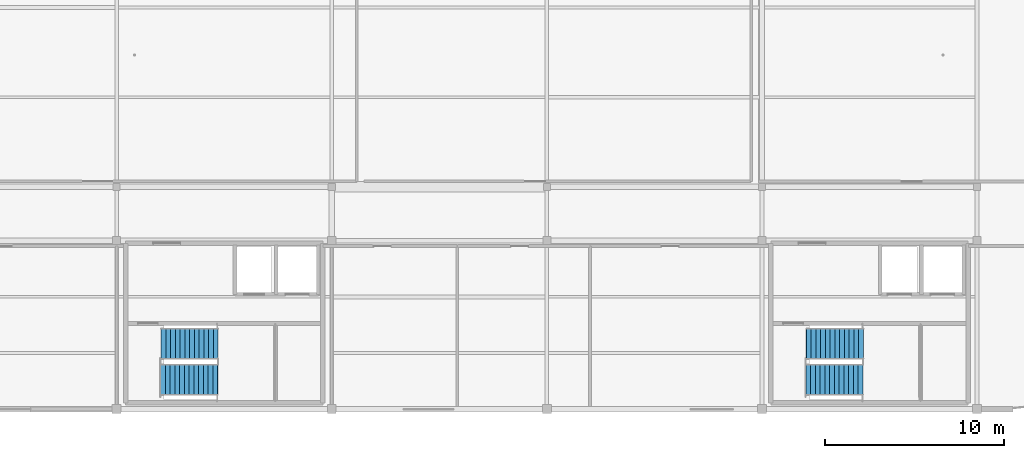
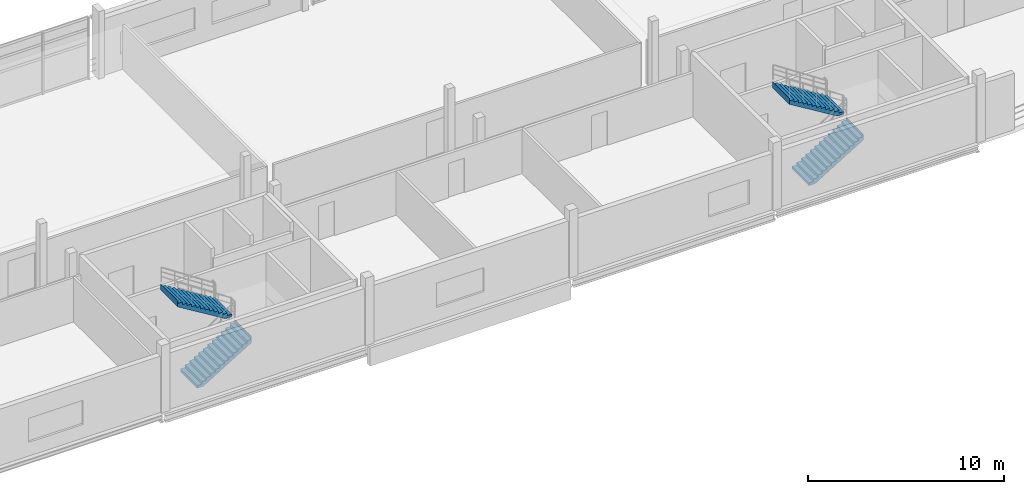
# One storey, part 9 of 13: 4 stair flights, 2 elements without a shape of their own.
"""IFC4 building model written with IfcOpenShell, lengths in metres."""

from ifc_helpers import new_model, si_unit, direction, frame, origin, place, context, subcontext, project, spatial, polyline, outline, extrude, material, layer, layer_set, type_object, element, aggregate, save


model = new_model("IFC4")

# Units and contexts
model_context = context("Model", 3, precision=1e-05, world=origin(), true_north=direction((0.0, 1.0)))
body_context = subcontext(model_context, "Body", "Model", "MODEL_VIEW")
ifc_project = project(units=[si_unit("LENGTHUNIT", "METRE"), si_unit("AREAUNIT", "SQUARE_METRE"), si_unit("VOLUMEUNIT", "CUBIC_METRE"), si_unit("PLANEANGLEUNIT", "RADIAN"), si_unit("MASSUNIT", "GRAM", prefix="KILO"), si_unit("THERMODYNAMICTEMPERATUREUNIT", "KELVIN"), si_unit("POWERUNIT", "WATT")], contexts=[model_context])

# Site, building, storey
site_placement = place(None, origin())
site = spatial("IfcSite", under=ifc_project, at=site_placement, CompositionType="ELEMENT")
building_placement = place(site_placement, origin())
building = spatial("IfcBuilding", under=site, at=building_placement, Name="Solmara Park Aquatics Centre", CompositionType="ELEMENT")
storey_placement = place(building_placement, frame((0.0, 0.0, 14.39990234375)))
storey = spatial("IfcBuildingStorey", under=building, at=storey_placement, Name="L03", CompositionType="ELEMENT", Elevation=14.39990234375)

# Stair, stair flights
ifc_material = material(Name="Concrete C40/50", Category="concrete")
stair_type = type_object("IfcStairType", Name="ARC-ST-CORE", PredefinedType="HALF_TURN_STAIR", material=ifc_material)
stair_1_placement = place(storey_placement, origin())
stair_1 = element("IfcStair", 1, at=stair_1_placement, inside=storey, type_object=stair_type, Name="ST-01 Protected Exit Stair (L03 to L04)", PredefinedType="HALF_TURN_STAIR")
ifc_layer = layer(ifc_material, 0.199951171875, Name="Concrete C40/50")
ifc_layer_set = layer_set([ifc_layer], Name="Concrete C40/50")
stair_flight_type = type_object("IfcStairFlightType", Name="ARC-STF-06", PredefinedType="STRAIGHT", material=ifc_layer_set)
stair_flight_1_placement = place(storey_placement, frame((51.050048828125, 110.235107421875, 0.0), z_axis=(0.0, 0.0, 1.0), x_axis=(1.0, 0.0, 0.0)))
stair_flight_1 = element("IfcStairFlight", 2, at=stair_flight_1_placement, type_object=stair_flight_type, Name="ST-01 flight 1", NumberOfRisers=13, NumberOfTreads=12, PredefinedType="STRAIGHT", RiserHeight=0.16154, TreadLength=0.265, context=body_context, shape_type="SweptSolid", body=[
    extrude(outline(polyline([(0.0, 0.0), (0.0, 0.16162109375), (0.264892578125, 0.16162109375), (0.264892578125, 0.322998046875), (0.530029296875, 0.322998046875), (0.530029296875, 0.484619140625), (0.794921875, 0.484619140625), (0.794921875, 0.646240234375), (1.06005859375, 0.646240234375), (1.06005859375, 0.8076171875), (1.324951171875, 0.8076171875), (1.324951171875, 0.96923828125), (1.590087890625, 0.96923828125), (1.590087890625, 1.130859375), (1.85498046875, 1.130859375), (1.85498046875, 1.292236328125), (2.1201171875, 1.292236328125), (2.1201171875, 1.453857421875), (2.385009765625, 1.453857421875), (2.385009765625, 1.615478515625), (2.64990234375, 1.615478515625), (2.64990234375, 1.77685546875), (2.9150390625, 1.77685546875), (2.9150390625, 1.9384765625), (3.179931640625, 1.9384765625), (3.179931640625, 2.10009765625), (3.199951171875, 2.10009765625), (3.199951171875, 1.727783203125), (0.36572265625, 0.0), (0.0, 0.0)])), frame((0.0, 0.864990234375, 0.0), z_axis=(0.0, -1.0, 0.0), x_axis=(1.0, 0.0, 0.0)), (0.0, 0.0, 1.0), 1.72998046875),
])
stair_flight_2_placement = place(storey_placement, frame((54.260009765625, 112.264892578125, 2.10009765625), z_axis=(0.0, 0.0, 1.0), x_axis=(-1.0, 0.0, 0.0)))
stair_flight_2 = element("IfcStairFlight", 3, at=stair_flight_2_placement, type_object=stair_flight_type, Name="ST-01 flight 2", NumberOfRisers=13, NumberOfTreads=12, PredefinedType="STRAIGHT", RiserHeight=0.16154, TreadLength=0.265, context=body_context, shape_type="SweptSolid", body=[
    extrude(outline(polyline([(0.0, 0.0), (0.0, 0.16162109375), (0.264892578125, 0.16162109375), (0.264892578125, 0.322998046875), (0.530029296875, 0.322998046875), (0.530029296875, 0.484619140625), (0.794921875, 0.484619140625), (0.794921875, 0.646240234375), (1.06005859375, 0.646240234375), (1.06005859375, 0.8076171875), (1.324951171875, 0.8076171875), (1.324951171875, 0.96923828125), (1.590087890625, 0.96923828125), (1.590087890625, 1.130859375), (1.85498046875, 1.130859375), (1.85498046875, 1.292236328125), (2.1201171875, 1.292236328125), (2.1201171875, 1.453857421875), (2.385009765625, 1.453857421875), (2.385009765625, 1.615478515625), (2.64990234375, 1.615478515625), (2.64990234375, 1.77685546875), (2.9150390625, 1.77685546875), (2.9150390625, 1.9384765625), (3.179931640625, 1.9384765625), (3.179931640625, 2.10009765625), (3.199951171875, 2.10009765625), (3.199951171875, 1.727783203125), (0.36572265625, 0.0), (0.0, 0.0)])), frame((0.0, 0.864990234375, 0.0), z_axis=(0.0, -1.0, 0.0), x_axis=(1.0, 0.0, 0.0)), (0.0, 0.0, 1.0), 1.72998046875),
])
aggregate(stair_1, [stair_flight_1, stair_flight_2])

stair_2_placement = place(storey_placement, origin())
stair_2 = element("IfcStair", 4, at=stair_2_placement, inside=storey, type_object=stair_type, Name="ST-02 Protected Exit Stair (L03 to L04)", PredefinedType="HALF_TURN_STAIR")
stair_flight_3_placement = place(storey_placement, frame((87.050048828125, 110.235107421875, 0.0), z_axis=(0.0, 0.0, 1.0), x_axis=(1.0, 0.0, 0.0)))
stair_flight_3 = element("IfcStairFlight", 5, at=stair_flight_3_placement, type_object=stair_flight_type, Name="ST-02 flight 1", NumberOfRisers=13, NumberOfTreads=12, PredefinedType="STRAIGHT", RiserHeight=0.16154, TreadLength=0.265, context=body_context, shape_type="SweptSolid", body=[
    extrude(outline(polyline([(0.0, 0.0), (0.0, 0.16162109375), (0.264892578125, 0.16162109375), (0.264892578125, 0.322998046875), (0.530029296875, 0.322998046875), (0.530029296875, 0.484619140625), (0.794921875, 0.484619140625), (0.794921875, 0.646240234375), (1.06005859375, 0.646240234375), (1.06005859375, 0.8076171875), (1.324951171875, 0.8076171875), (1.324951171875, 0.96923828125), (1.590087890625, 0.96923828125), (1.590087890625, 1.130859375), (1.85498046875, 1.130859375), (1.85498046875, 1.292236328125), (2.1201171875, 1.292236328125), (2.1201171875, 1.453857421875), (2.385009765625, 1.453857421875), (2.385009765625, 1.615478515625), (2.64990234375, 1.615478515625), (2.64990234375, 1.77685546875), (2.9150390625, 1.77685546875), (2.9150390625, 1.9384765625), (3.179931640625, 1.9384765625), (3.179931640625, 2.10009765625), (3.199951171875, 2.10009765625), (3.199951171875, 1.727783203125), (0.36572265625, 0.0), (0.0, 0.0)])), frame((0.0, 0.864990234375, 0.0), z_axis=(0.0, -1.0, 0.0), x_axis=(1.0, 0.0, 0.0)), (0.0, 0.0, 1.0), 1.72998046875),
])
stair_flight_4_placement = place(storey_placement, frame((90.260009765625, 112.264892578125, 2.10009765625), z_axis=(0.0, 0.0, 1.0), x_axis=(-1.0, 0.0, 0.0)))
stair_flight_4 = element("IfcStairFlight", 6, at=stair_flight_4_placement, type_object=stair_flight_type, Name="ST-02 flight 2", NumberOfRisers=13, NumberOfTreads=12, PredefinedType="STRAIGHT", RiserHeight=0.16154, TreadLength=0.265, context=body_context, shape_type="SweptSolid", body=[
    extrude(outline(polyline([(0.0, 0.0), (0.0, 0.16162109375), (0.264892578125, 0.16162109375), (0.264892578125, 0.322998046875), (0.530029296875, 0.322998046875), (0.530029296875, 0.484619140625), (0.794921875, 0.484619140625), (0.794921875, 0.646240234375), (1.06005859375, 0.646240234375), (1.06005859375, 0.8076171875), (1.324951171875, 0.8076171875), (1.324951171875, 0.96923828125), (1.590087890625, 0.96923828125), (1.590087890625, 1.130859375), (1.85498046875, 1.130859375), (1.85498046875, 1.292236328125), (2.1201171875, 1.292236328125), (2.1201171875, 1.453857421875), (2.385009765625, 1.453857421875), (2.385009765625, 1.615478515625), (2.64990234375, 1.615478515625), (2.64990234375, 1.77685546875), (2.9150390625, 1.77685546875), (2.9150390625, 1.9384765625), (3.179931640625, 1.9384765625), (3.179931640625, 2.10009765625), (3.199951171875, 2.10009765625), (3.199951171875, 1.727783203125), (0.36572265625, 0.0), (0.0, 0.0)])), frame((0.0, 0.864990234375, 0.0), z_axis=(0.0, -1.0, 0.0), x_axis=(1.0, 0.0, 0.0)), (0.0, 0.0, 1.0), 1.72998046875),
])
aggregate(stair_2, [stair_flight_3, stair_flight_4])

save(model, "model.ifc")
